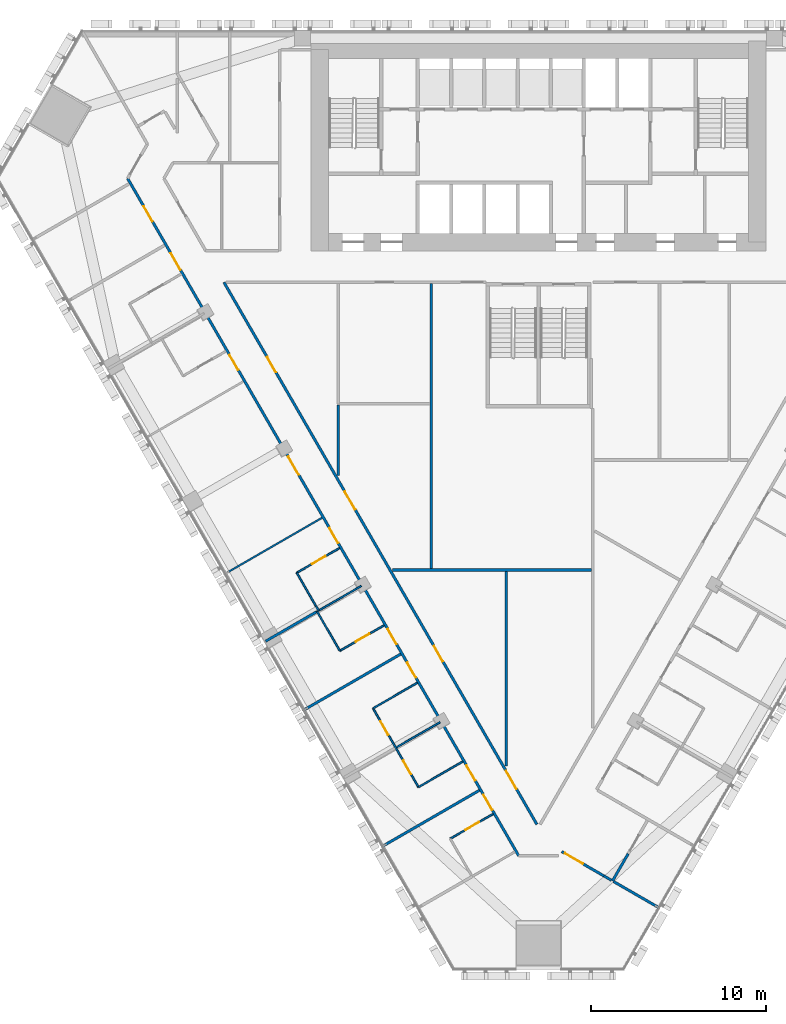
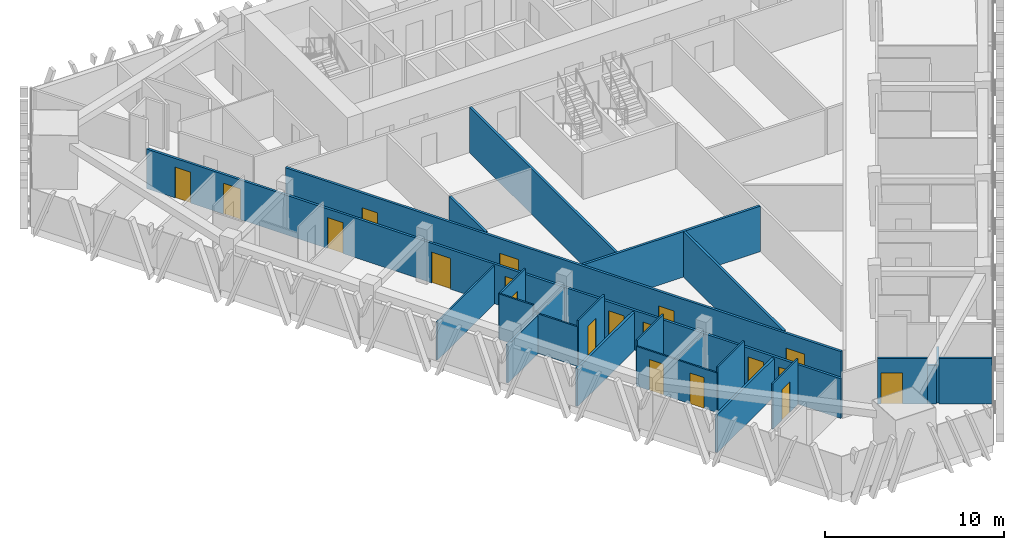
# One storey, part 10 of 18: 25 walls, 19 doors, 19 openings.
"""IFC4 building model written with IfcOpenShell, lengths in metres."""

from ifc_helpers import new_model, si_unit, direction, frame, frame_2d, origin, place, context, subcontext, project, spatial, rectangle, extrude, material, layer, layer_set, type_object, element, fill, save


model = new_model("IFC4")

# Units and contexts
model_context = context("Model", 3, precision=1e-05, world=origin(), true_north=direction((0.0, 1.0)))
body_context = subcontext(model_context, "Body", "Model", "MODEL_VIEW")
ifc_project = project(units=[si_unit("LENGTHUNIT", "METRE"), si_unit("AREAUNIT", "SQUARE_METRE"), si_unit("VOLUMEUNIT", "CUBIC_METRE"), si_unit("PLANEANGLEUNIT", "RADIAN"), si_unit("MASSUNIT", "GRAM", prefix="KILO")], contexts=[model_context])

# Site, building, storey
site_placement = place(None, origin())
site = spatial("IfcSite", under=ifc_project, at=site_placement, CompositionType="ELEMENT")
building_placement = place(site_placement, origin())
building = spatial("IfcBuilding", under=site, at=building_placement, Name="Altiplano Prism Tower", CompositionType="ELEMENT")
storey_placement = place(building_placement, frame((0.0, 0.0, 37.800048828125)))
storey = spatial("IfcBuildingStorey", under=building, at=storey_placement, Name="L08", CompositionType="ELEMENT", Elevation=37.800048828125)

# Walls
ifc_material_1 = material(Name="Plasterboard on steel stud", Category="steel")
ifc_layer_1 = layer(ifc_material_1, 0.10009765625)
ifc_layer_set_1 = layer_set([ifc_layer_1], Name="Plasterboard on steel stud")
wall_type_1 = type_object("IfcWallType", Name="Partition 100 unit", PredefinedType="PARTITIONING", material=ifc_layer_set_1)
wall_1_placement = place(storey_placement, frame((72.421142578125, 71.818603515625, 0.0), z_axis=(0.0, 0.0, 1.0), x_axis=(-0.499816412211, 0.866131372301, 0.0)))
element("IfcWall", 1, at=wall_1_placement, inside=storey, type_object=wall_type_1, Name="Partition P02 L08 060", PredefinedType="PARTITIONING", context=body_context, shape_type="SweptSolid", body=[
    extrude(rectangle(XDim=0.2998046875, YDim=0.10009765625, at=frame_2d((0.14990234375, 0.0))), origin(), (0.0, 0.0, 1.0), 2.699951171875),
])
wall_2_placement = place(storey_placement, frame((72.271240234375, 72.078369140625, 0.0), z_axis=(0.0, 0.0, 1.0), x_axis=(-0.50002983664, 0.866008176907, 0.0)))
element("IfcWall", 2, at=wall_2_placement, inside=storey, type_object=wall_type_1, Name="Partition P02 L08 061", PredefinedType="PARTITIONING", context=body_context, shape_type="SweptSolid", body=[
    extrude(rectangle(XDim=2.199951171875, YDim=0.10009765625, at=frame_2d((1.10009765625, 0.0))), origin(), (0.0, 0.0, 1.0), 3.099853515625),
])

# Wall, opening, door
wall_3_placement = place(storey_placement, frame((71.171142578125, 73.983642578125, 0.0), z_axis=(0.0, 0.0, 1.0), x_axis=(0.866048868473, 0.499959355765, 0.0)))
wall_3 = element("IfcWall", 3, at=wall_3_placement, inside=storey, type_object=wall_type_1, Name="Partition P02 L08 062", PredefinedType="PARTITIONING", context=body_context, shape_type="SweptSolid", body=[
    extrude(rectangle(XDim=2.824951171875, YDim=0.10009765625, at=frame_2d((1.41259765625, 0.0))), origin(), (0.0, 0.0, 1.0), 3.099853515625),
])
opening_1_placement = place(wall_3_placement, frame((1.0, 0.0, 0.0)))
opening_1 = element("IfcOpeningElement", 4, at=opening_1_placement, cuts=wall_3, Name="Opening D0285", PredefinedType="OPENING", context=body_context, shape_type="SweptSolid", body=[
    extrude(rectangle(XDim=0.89990234375, YDim=2.10009765625, at=frame_2d((0.449951171875, 1.050048828125))), frame((0.0, 0.060546875, 0.0), z_axis=(0.0, -1.0, 0.0), x_axis=(1.0, 0.0, 0.0)), (0.0, 0.0, 1.0), 0.12109375),
])
ifc_material_2 = material(Name="Timber", Category="wood")
door_type_1 = type_object("IfcDoorType", Name="Ensuite door 900 x 2100", OperationType="NOTDEFINED", PredefinedType="NOTDEFINED", material=ifc_material_2)
door_1_placement = place(opening_1_placement, origin())
door_1 = element("IfcDoor", 5, at=door_1_placement, inside=storey, type_object=door_type_1, Name="Door D0285", OperationType="SINGLE_SWING_RIGHT", OverallHeight=2.10009765625, OverallWidth=0.89990234375, PredefinedType="NOTDEFINED", context=body_context, shape_type="SweptSolid", body=[
    extrude(rectangle(XDim=0.89990234375, YDim=2.10009765625, at=frame_2d((0.449951171875, 1.050048828125))), frame((0.0, 0.02490234375, 0.0), z_axis=(0.0, -1.0, 0.0), x_axis=(1.0, 0.0, 0.0)), (0.0, 0.0, 1.0), 0.050048828125),
])
fill(opening_1, door_1)

wall_4_placement = place(storey_placement, frame((76.167724609375, 70.979248046875, 0.0), z_axis=(0.0, 0.0, 1.0), x_axis=(-0.866046596414, -0.499963291492, 0.0)))
wall_4 = element("IfcWall", 6, at=wall_4_placement, inside=storey, type_object=wall_type_1, Name="Partition P02 L08 065", PredefinedType="PARTITIONING", context=body_context, shape_type="SweptSolid", body=[
    extrude(rectangle(XDim=2.925048828125, YDim=0.10009765625, at=frame_2d((1.46240234375, 0.0))), origin(), (0.0, 0.0, 1.0), 3.099853515625),
])
opening_2_placement = place(wall_4_placement, frame((0.97509765625, 0.0, 0.0)))
opening_2 = element("IfcOpeningElement", 7, at=opening_2_placement, cuts=wall_4, Name="Opening D0287", PredefinedType="OPENING", context=body_context, shape_type="SweptSolid", body=[
    extrude(rectangle(XDim=0.89990234375, YDim=2.10009765625, at=frame_2d((0.449951171875, 1.050048828125))), frame((0.0, 0.060546875, 0.0), z_axis=(0.0, -1.0, 0.0), x_axis=(1.0, 0.0, 0.0)), (0.0, 0.0, 1.0), 0.12109375),
])
door_2_placement = place(opening_2_placement, origin())
door_2 = element("IfcDoor", 8, at=door_2_placement, inside=storey, type_object=door_type_1, Name="Door D0287", OperationType="SINGLE_SWING_LEFT", OverallHeight=2.10009765625, OverallWidth=0.89990234375, PredefinedType="NOTDEFINED", context=body_context, shape_type="SweptSolid", body=[
    extrude(rectangle(XDim=0.89990234375, YDim=2.10009765625, at=frame_2d((0.449951171875, 1.050048828125))), frame((0.0, 0.02490234375, 0.0), z_axis=(0.0, -1.0, 0.0), x_axis=(1.0, 0.0, 0.0)), (0.0, 0.0, 1.0), 0.050048828125),
])
fill(opening_2, door_2)

# Wall
wall_5_placement = place(storey_placement, frame((73.634521484375, 69.516845703125, 0.0), z_axis=(0.0, 0.0, 1.0), x_axis=(-0.500006934395, 0.866021400173, 0.0)))
element("IfcWall", 9, at=wall_5_placement, inside=storey, type_object=wall_type_1, Name="Partition P02 L08 066", PredefinedType="PARTITIONING", context=body_context, shape_type="SweptSolid", body=[
    extrude(rectangle(XDim=2.60009765625, YDim=0.10009765625, at=frame_2d((1.300048828125, 0.0))), origin(), (0.0, 0.0, 1.0), 2.699951171875),
])

# Wall, openings, doors
wall_6_placement = place(storey_placement, frame((78.134521484375, 61.72265625, 0.0), z_axis=(0.0, 0.0, 1.0), x_axis=(-0.500006934395, 0.866021400173, 0.0)))
wall_6 = element("IfcWall", 10, at=wall_6_placement, inside=storey, type_object=wall_type_1, Name="Partition P02 L08 068", PredefinedType="PARTITIONING", context=body_context, shape_type="SweptSolid", body=[
    extrude(rectangle(XDim=5.2001953125, YDim=0.10009765625, at=frame_2d((2.60009765625, 0.0))), origin(), (0.0, 0.0, 1.0), 2.699951171875),
])
opening_3_placement = place(wall_6_placement, frame((3.449951171875, 0.0, 0.0)))
opening_3 = element("IfcOpeningElement", 11, at=opening_3_placement, cuts=wall_6, Name="Opening D0289", PredefinedType="OPENING", context=body_context, shape_type="SweptSolid", body=[
    extrude(rectangle(XDim=0.89990234375, YDim=2.10009765625, at=frame_2d((0.449951171875, 1.050048828125))), frame((0.0, 0.060546875, 0.0), z_axis=(0.0, -1.0, 0.0), x_axis=(1.0, 0.0, 0.0)), (0.0, 0.0, 1.0), 0.12109375),
])
opening_4_placement = place(wall_6_placement, frame((0.85009765625, 0.0, 0.0)))
opening_4 = element("IfcOpeningElement", 12, at=opening_4_placement, cuts=wall_6, Name="Opening D0291", PredefinedType="OPENING", context=body_context, shape_type="SweptSolid", body=[
    extrude(rectangle(XDim=0.89990234375, YDim=2.10009765625, at=frame_2d((0.449951171875, 1.050048828125))), frame((0.0, 0.060546875, 0.0), z_axis=(0.0, -1.0, 0.0), x_axis=(1.0, 0.0, 0.0)), (0.0, 0.0, 1.0), 0.12109375),
])
door_3_placement = place(opening_3_placement, origin())
door_3 = element("IfcDoor", 13, at=door_3_placement, inside=storey, type_object=door_type_1, Name="Door D0289", OperationType="SINGLE_SWING_LEFT", OverallHeight=2.10009765625, OverallWidth=0.89990234375, PredefinedType="NOTDEFINED", context=body_context, shape_type="SweptSolid", body=[
    extrude(rectangle(XDim=0.89990234375, YDim=2.10009765625, at=frame_2d((0.449951171875, 1.050048828125))), frame((0.0, 0.02490234375, 0.0), z_axis=(0.0, -1.0, 0.0), x_axis=(1.0, 0.0, 0.0)), (0.0, 0.0, 1.0), 0.050048828125),
])
fill(opening_3, door_3)
door_4_placement = place(opening_4_placement, origin())
door_4 = element("IfcDoor", 14, at=door_4_placement, inside=storey, type_object=door_type_1, Name="Door D0291", OperationType="SINGLE_SWING_LEFT", OverallHeight=2.10009765625, OverallWidth=0.89990234375, PredefinedType="NOTDEFINED", context=body_context, shape_type="SweptSolid", body=[
    extrude(rectangle(XDim=0.89990234375, YDim=2.10009765625, at=frame_2d((0.449951171875, 1.050048828125))), frame((0.0, 0.02490234375, 0.0), z_axis=(0.0, -1.0, 0.0), x_axis=(1.0, 0.0, 0.0)), (0.0, 0.0, 1.0), 0.050048828125),
])
fill(opening_4, door_4)

# Walls
for number, where, z_axis, x_axis, name in (
    (15, (75.534423828125, 66.22607421875, 0.0), (0.0, 0.0, 1.0), (0.866046596414, 0.499963291492, 0.0), "Partition P02 L08 069"),
    (16, (80.667724609375, 63.18505859375, 0.0), (0.0, 0.0, 1.0), (-0.866046596414, -0.499963291492, 0.0), "Partition P02 L08 072"),
):
    element("IfcWall", number, at=place(storey_placement, frame(where, z_axis=z_axis, x_axis=x_axis)), inside=storey, type_object=wall_type_1, Name=name, PredefinedType="PARTITIONING", context=body_context, shape_type="SweptSolid", body=[
        extrude(rectangle(XDim=2.925048828125, YDim=0.10009765625, at=frame_2d((1.46240234375, 0.0))), origin(), (0.0, 0.0, 1.0), 3.099853515625),
    ])

# Wall, opening, door
wall_7_placement = place(storey_placement, frame((79.9521484375, 58.7744140625, 0.0), z_axis=(0.0, 0.0, 1.0), x_axis=(0.866011447264, 0.500024172624, 0.0)))
wall_7 = element("IfcWall", 17, at=wall_7_placement, inside=storey, type_object=wall_type_1, Name="Partition P02 L08 075", PredefinedType="PARTITIONING", context=body_context, shape_type="SweptSolid", body=[
    extrude(rectangle(XDim=2.824951171875, YDim=0.10009765625, at=frame_2d((1.41259765625, 0.0))), origin(), (0.0, 0.0, 1.0), 3.099853515625),
])
opening_5_placement = place(wall_7_placement, frame((1.0, 0.0, 0.0)))
opening_5 = element("IfcOpeningElement", 18, at=opening_5_placement, cuts=wall_7, Name="Opening D0293", PredefinedType="OPENING", context=body_context, shape_type="SweptSolid", body=[
    extrude(rectangle(XDim=0.89990234375, YDim=2.10009765625, at=frame_2d((0.449951171875, 1.050048828125))), frame((0.0, 0.060546875, 0.0), z_axis=(0.0, -1.0, 0.0), x_axis=(1.0, 0.0, 0.0)), (0.0, 0.0, 1.0), 0.12109375),
])
door_5_placement = place(opening_5_placement, origin())
door_5 = element("IfcDoor", 19, at=door_5_placement, inside=storey, type_object=door_type_1, Name="Door D0293", OperationType="SINGLE_SWING_LEFT", OverallHeight=2.10009765625, OverallWidth=0.89990234375, PredefinedType="NOTDEFINED", context=body_context, shape_type="SweptSolid", body=[
    extrude(rectangle(XDim=0.89990234375, YDim=2.10009765625, at=frame_2d((0.449951171875, 1.050048828125))), frame((0.0, 0.02490234375, 0.0), z_axis=(0.0, -1.0, 0.0), x_axis=(1.0, 0.0, 0.0)), (0.0, 0.0, 1.0), 0.050048828125),
])
fill(opening_5, door_5)

# Walls
ifc_layer_2 = layer(ifc_material_1, 0.10009765625)
ifc_layer_set_2 = layer_set([ifc_layer_2], Name="Plasterboard on steel stud")
wall_type_2 = type_object("IfcWallType", Name="Partition 100 wet", PredefinedType="PARTITIONING", material=ifc_layer_set_2)
wall_8_placement = place(storey_placement, frame((67.12255859375, 73.95556640625, 0.0), z_axis=(0.0, 0.0, 1.0), x_axis=(0.866025401434, 0.500000004071, 0.0)))
element("IfcWall", 20, at=wall_8_placement, inside=storey, type_object=wall_type_2, Name="Partition P03 L08 059", PredefinedType="PARTITIONING", context=body_context, shape_type="SweptSolid", body=[
    extrude(rectangle(XDim=6.34521484375, YDim=0.10009765625, at=frame_2d((3.172607421875, 0.0))), origin(), (0.0, 0.0, 1.0), 2.599853515625),
])
wall_9_placement = place(storey_placement, frame((72.40380859375, 71.80859375, 0.0), z_axis=(0.0, 0.0, 1.0), x_axis=(0.866048401274, 0.499960165064, 0.0)))
element("IfcWall", 21, at=wall_9_placement, inside=storey, type_object=wall_type_2, Name="Partition P03 L08 064", PredefinedType="PARTITIONING", context=body_context, shape_type="SweptSolid", body=[
    extrude(rectangle(XDim=2.844970703125, YDim=0.10009765625, at=frame_2d((1.42236328125, 0.0))), origin(), (0.0, 0.0, 1.0), 2.699951171875),
])
wall_10_placement = place(storey_placement, frame((76.8779296875, 63.999267578125, 0.0), z_axis=(0.0, 0.0, 1.0), x_axis=(0.866018712932, 0.500011588718, 0.0)))
element("IfcWall", 22, at=wall_10_placement, inside=storey, type_object=wall_type_2, Name="Partition P03 L08 071", PredefinedType="PARTITIONING", context=body_context, shape_type="SweptSolid", body=[
    extrude(rectangle(XDim=2.875, YDim=0.10009765625, at=frame_2d((1.4375, 0.0))), origin(), (0.0, 0.0, 1.0), 2.699951171875),
])

# Wall, openings, doors
ifc_layer_3 = layer(ifc_material_1, 0.14990234375)
ifc_layer_set_3 = layer_set([ifc_layer_3], Name="Plasterboard on steel stud")
wall_type_3 = type_object("IfcWallType", Name="Partition 150 corridor", PredefinedType="PARTITIONING", material=ifc_layer_set_3)
wall_11_placement = place(storey_placement, frame((61.4970703125, 96.539794921875, 0.0), z_axis=(0.0, 0.0, 1.0), x_axis=(0.499995935097, -0.866027750645, 0.0)))
wall_11 = element("IfcWall", 23, at=wall_11_placement, inside=storey, type_object=wall_type_3, Name="Partition P06 L08 014", PredefinedType="PARTITIONING", context=body_context, shape_type="SweptSolid", body=[
    extrude(rectangle(XDim=44.742431640625, YDim=0.14990234375, at=frame_2d((22.37109375, 0.0))), origin(), (0.0, 0.0, 1.0), 2.699951171875),
])
opening_6_placement = place(wall_11_placement, frame((1.840087890625, 0.0, 0.0)))
opening_6 = element("IfcOpeningElement", 24, at=opening_6_placement, cuts=wall_11, Name="Opening D0278", PredefinedType="OPENING", context=body_context, shape_type="SweptSolid", body=[
    extrude(rectangle(XDim=1.0, YDim=2.10009765625, at=frame_2d((0.5, 1.050048828125))), frame((0.0, 0.08544921875, 0.0), z_axis=(0.0, -1.0, 0.0), x_axis=(1.0, 0.0, 0.0)), (0.0, 0.0, 1.0), 0.1708984375),
])
opening_7_placement = place(wall_11_placement, frame((4.94189453125, 0.0, 0.0)))
opening_7 = element("IfcOpeningElement", 25, at=opening_7_placement, cuts=wall_11, Name="Opening D0279", PredefinedType="OPENING", context=body_context, shape_type="SweptSolid", body=[
    extrude(rectangle(XDim=1.10009765625, YDim=2.10009765625, at=frame_2d((0.550048828125, 1.050048828125))), frame((0.0, 0.08544921875, 0.0), z_axis=(0.0, -1.0, 0.0), x_axis=(1.0, 0.0, 0.0)), (0.0, 0.0, 1.0), 0.1708984375),
])
opening_8_placement = place(wall_11_placement, frame((11.65087890625, 0.0, 0.0)))
opening_8 = element("IfcOpeningElement", 26, at=opening_8_placement, cuts=wall_11, Name="Opening D0281", PredefinedType="OPENING", context=body_context, shape_type="SweptSolid", body=[
    extrude(rectangle(XDim=1.0, YDim=2.10009765625, at=frame_2d((0.5, 1.050048828125))), frame((0.0, 0.08544921875, 0.0), z_axis=(0.0, -1.0, 0.0), x_axis=(1.0, 0.0, 0.0)), (0.0, 0.0, 1.0), 0.1708984375),
])
opening_9_placement = place(wall_11_placement, frame((18.37109375, 0.0, 0.0)))
opening_9 = element("IfcOpeningElement", 27, at=opening_9_placement, cuts=wall_11, Name="Opening D0283", PredefinedType="OPENING", context=body_context, shape_type="SweptSolid", body=[
    extrude(rectangle(XDim=1.199951171875, YDim=2.10009765625, at=frame_2d((0.60009765625, 1.050048828125))), frame((0.0, 0.08544921875, 0.0), z_axis=(0.0, -1.0, 0.0), x_axis=(1.0, 0.0, 0.0)), (0.0, 0.0, 1.0), 0.1708984375),
])
opening_10_placement = place(wall_11_placement, frame((23.092041015625, 0.0, 0.0)))
opening_10 = element("IfcOpeningElement", 28, at=opening_10_placement, cuts=wall_11, Name="Opening D0284", PredefinedType="OPENING", context=body_context, shape_type="SweptSolid", body=[
    extrude(rectangle(XDim=1.0, YDim=2.10009765625, at=frame_2d((0.5, 1.050048828125))), frame((0.0, 0.08544921875, 0.0), z_axis=(0.0, -1.0, 0.0), x_axis=(1.0, 0.0, 0.0)), (0.0, 0.0, 1.0), 0.1708984375),
])
opening_11_placement = place(wall_11_placement, frame((29.76708984375, 0.0, 0.0)))
opening_11 = element("IfcOpeningElement", 29, at=opening_11_placement, cuts=wall_11, Name="Opening D0286", PredefinedType="OPENING", context=body_context, shape_type="SweptSolid", body=[
    extrude(rectangle(XDim=1.0, YDim=2.10009765625, at=frame_2d((0.5, 1.050048828125))), frame((0.0, 0.08544921875, 0.0), z_axis=(0.0, -1.0, 0.0), x_axis=(1.0, 0.0, 0.0)), (0.0, 0.0, 1.0), 0.1708984375),
])
opening_12_placement = place(wall_11_placement, frame((31.97607421875, 0.0, 0.0)))
opening_12 = element("IfcOpeningElement", 30, at=opening_12_placement, cuts=wall_11, Name="Opening D0288", PredefinedType="OPENING", context=body_context, shape_type="SweptSolid", body=[
    extrude(rectangle(XDim=1.0, YDim=2.10009765625, at=frame_2d((0.5, 1.050048828125))), frame((0.0, 0.08544921875, 0.0), z_axis=(0.0, -1.0, 0.0), x_axis=(1.0, 0.0, 0.0)), (0.0, 0.0, 1.0), 0.1708984375),
])
opening_13_placement = place(wall_11_placement, frame((38.76708984375, 0.0, 0.0)))
opening_13 = element("IfcOpeningElement", 31, at=opening_13_placement, cuts=wall_11, Name="Opening D0290", PredefinedType="OPENING", context=body_context, shape_type="SweptSolid", body=[
    extrude(rectangle(XDim=1.0, YDim=2.10009765625, at=frame_2d((0.5, 1.050048828125))), frame((0.0, 0.08544921875, 0.0), z_axis=(0.0, -1.0, 0.0), x_axis=(1.0, 0.0, 0.0)), (0.0, 0.0, 1.0), 0.1708984375),
])
opening_14_placement = place(wall_11_placement, frame((40.70703125, 0.0, 0.0)))
opening_14 = element("IfcOpeningElement", 32, at=opening_14_placement, cuts=wall_11, Name="Opening D0292", PredefinedType="OPENING", context=body_context, shape_type="SweptSolid", body=[
    extrude(rectangle(XDim=1.0, YDim=2.10009765625, at=frame_2d((0.5, 1.050048828125))), frame((0.0, 0.08544921875, 0.0), z_axis=(0.0, -1.0, 0.0), x_axis=(1.0, 0.0, 0.0)), (0.0, 0.0, 1.0), 0.1708984375),
])
door_type_2 = type_object("IfcDoorType", Name="Accessible bedroom door 1100 x 2100", OperationType="NOTDEFINED", PredefinedType="NOTDEFINED", material=ifc_material_2)
door_6_placement = place(opening_7_placement, origin())
door_6 = element("IfcDoor", 33, at=door_6_placement, inside=storey, type_object=door_type_2, Name="Door D0279", OperationType="SINGLE_SWING_LEFT", OverallHeight=2.10009765625, OverallWidth=1.10009765625, PredefinedType="NOTDEFINED", context=body_context, shape_type="SweptSolid", body=[
    extrude(rectangle(XDim=1.10009765625, YDim=2.10009765625, at=frame_2d((0.550048828125, 1.050048828125))), frame((0.0, 0.02490234375, 0.0), z_axis=(0.0, -1.0, 0.0), x_axis=(1.0, 0.0, 0.0)), (0.0, 0.0, 1.0), 0.050048828125),
])
fill(opening_7, door_6)
door_type_3 = type_object("IfcDoorType", Name="Bedroom entrance door 1000 x 2100", OperationType="NOTDEFINED", PredefinedType="NOTDEFINED", material=ifc_material_2)
door_7_placement = place(opening_8_placement, origin())
door_7 = element("IfcDoor", 34, at=door_7_placement, inside=storey, type_object=door_type_3, Name="Door D0281", OperationType="SINGLE_SWING_RIGHT", OverallHeight=2.10009765625, OverallWidth=1.0, PredefinedType="NOTDEFINED", context=body_context, shape_type="SweptSolid", body=[
    extrude(rectangle(XDim=1.0, YDim=2.10009765625, at=frame_2d((0.5, 1.050048828125))), frame((0.0, 0.02490234375, 0.0), z_axis=(0.0, -1.0, 0.0), x_axis=(1.0, 0.0, 0.0)), (0.0, 0.0, 1.0), 0.050048828125),
])
fill(opening_8, door_7)
door_8_placement = place(opening_10_placement, origin())
door_8 = element("IfcDoor", 35, at=door_8_placement, inside=storey, type_object=door_type_3, Name="Door D0284", OperationType="SINGLE_SWING_LEFT", OverallHeight=2.10009765625, OverallWidth=1.0, PredefinedType="NOTDEFINED", context=body_context, shape_type="SweptSolid", body=[
    extrude(rectangle(XDim=1.0, YDim=2.10009765625, at=frame_2d((0.5, 1.050048828125))), frame((0.0, 0.02490234375, 0.0), z_axis=(0.0, -1.0, 0.0), x_axis=(1.0, 0.0, 0.0)), (0.0, 0.0, 1.0), 0.050048828125),
])
fill(opening_10, door_8)
door_9_placement = place(opening_11_placement, origin())
door_9 = element("IfcDoor", 36, at=door_9_placement, inside=storey, type_object=door_type_3, Name="Door D0286", OperationType="SINGLE_SWING_RIGHT", OverallHeight=2.10009765625, OverallWidth=1.0, PredefinedType="NOTDEFINED", context=body_context, shape_type="SweptSolid", body=[
    extrude(rectangle(XDim=1.0, YDim=2.10009765625, at=frame_2d((0.5, 1.050048828125))), frame((0.0, 0.02490234375, 0.0), z_axis=(0.0, -1.0, 0.0), x_axis=(1.0, 0.0, 0.0)), (0.0, 0.0, 1.0), 0.050048828125),
])
fill(opening_11, door_9)
door_10_placement = place(opening_12_placement, origin())
door_10 = element("IfcDoor", 37, at=door_10_placement, inside=storey, type_object=door_type_3, Name="Door D0288", OperationType="SINGLE_SWING_LEFT", OverallHeight=2.10009765625, OverallWidth=1.0, PredefinedType="NOTDEFINED", context=body_context, shape_type="SweptSolid", body=[
    extrude(rectangle(XDim=1.0, YDim=2.10009765625, at=frame_2d((0.5, 1.050048828125))), frame((0.0, 0.02490234375, 0.0), z_axis=(0.0, -1.0, 0.0), x_axis=(1.0, 0.0, 0.0)), (0.0, 0.0, 1.0), 0.050048828125),
])
fill(opening_12, door_10)
door_11_placement = place(opening_13_placement, origin())
door_11 = element("IfcDoor", 38, at=door_11_placement, inside=storey, type_object=door_type_3, Name="Door D0290", OperationType="SINGLE_SWING_RIGHT", OverallHeight=2.10009765625, OverallWidth=1.0, PredefinedType="NOTDEFINED", context=body_context, shape_type="SweptSolid", body=[
    extrude(rectangle(XDim=1.0, YDim=2.10009765625, at=frame_2d((0.5, 1.050048828125))), frame((0.0, 0.02490234375, 0.0), z_axis=(0.0, -1.0, 0.0), x_axis=(1.0, 0.0, 0.0)), (0.0, 0.0, 1.0), 0.050048828125),
])
fill(opening_13, door_11)
door_12_placement = place(opening_14_placement, origin())
door_12 = element("IfcDoor", 39, at=door_12_placement, inside=storey, type_object=door_type_3, Name="Door D0292", OperationType="SINGLE_SWING_LEFT", OverallHeight=2.10009765625, OverallWidth=1.0, PredefinedType="NOTDEFINED", context=body_context, shape_type="SweptSolid", body=[
    extrude(rectangle(XDim=1.0, YDim=2.10009765625, at=frame_2d((0.5, 1.050048828125))), frame((0.0, 0.02490234375, 0.0), z_axis=(0.0, -1.0, 0.0), x_axis=(1.0, 0.0, 0.0)), (0.0, 0.0, 1.0), 0.050048828125),
])
fill(opening_14, door_12)
door_type_4 = type_object("IfcDoorType", Name="Room door 1000 x 2100", OperationType="NOTDEFINED", PredefinedType="NOTDEFINED", material=ifc_material_2)
door_13_placement = place(opening_6_placement, origin())
door_13 = element("IfcDoor", 40, at=door_13_placement, inside=storey, type_object=door_type_4, Name="Door D0278", OperationType="SINGLE_SWING_RIGHT", OverallHeight=2.10009765625, OverallWidth=1.0, PredefinedType="NOTDEFINED", context=body_context, shape_type="SweptSolid", body=[
    extrude(rectangle(XDim=1.0, YDim=2.10009765625, at=frame_2d((0.5, 1.050048828125))), frame((0.0, 0.02490234375, 0.0), z_axis=(0.0, -1.0, 0.0), x_axis=(1.0, 0.0, 0.0)), (0.0, 0.0, 1.0), 0.050048828125),
])
fill(opening_6, door_13)
door_type_5 = type_object("IfcDoorType", Name="Shared room door 1200 x 2100", OperationType="NOTDEFINED", PredefinedType="NOTDEFINED", material=ifc_material_2)
door_14_placement = place(opening_9_placement, origin())
door_14 = element("IfcDoor", 41, at=door_14_placement, inside=storey, type_object=door_type_5, Name="Door D0283", OperationType="SINGLE_SWING_RIGHT", OverallHeight=2.10009765625, OverallWidth=1.199951171875, PredefinedType="NOTDEFINED", context=body_context, shape_type="SweptSolid", body=[
    extrude(rectangle(XDim=1.199951171875, YDim=2.10009765625, at=frame_2d((0.60009765625, 1.050048828125))), frame((0.0, 0.02490234375, 0.0), z_axis=(0.0, -1.0, 0.0), x_axis=(1.0, 0.0, 0.0)), (0.0, 0.0, 1.0), 0.050048828125),
])
fill(opening_9, door_14)

# Wall, opening, door
wall_12_placement = place(storey_placement, frame((86.32958984375, 58.034423828125, 0.0), z_axis=(0.0, 0.0, 1.0), x_axis=(0.86603494908, -0.499983466698, 0.0)))
wall_12 = element("IfcWall", 42, at=wall_12_placement, inside=storey, type_object=wall_type_3, Name="Partition P06 L08 016", PredefinedType="PARTITIONING", context=body_context, shape_type="SweptSolid", body=[
    extrude(rectangle(XDim=2.77978515625, YDim=0.14990234375, at=frame_2d((1.389892578125, 0.0))), origin(), (0.0, 0.0, 1.0), 3.099853515625),
])
opening_15_placement = place(wall_12_placement, frame((0.199951171875, 0.0, 0.0)))
opening_15 = element("IfcOpeningElement", 43, at=opening_15_placement, cuts=wall_12, Name="Opening D0294", PredefinedType="OPENING", context=body_context, shape_type="SweptSolid", body=[
    extrude(rectangle(XDim=1.199951171875, YDim=2.10009765625, at=frame_2d((0.60009765625, 1.050048828125))), frame((0.0, 0.08544921875, 0.0), z_axis=(0.0, -1.0, 0.0), x_axis=(1.0, 0.0, 0.0)), (0.0, 0.0, 1.0), 0.1708984375),
])
door_15_placement = place(opening_15_placement, origin())
door_15 = element("IfcDoor", 44, at=door_15_placement, inside=storey, type_object=door_type_5, Name="Door D0294", OperationType="SINGLE_SWING_LEFT", OverallHeight=2.10009765625, OverallWidth=1.199951171875, PredefinedType="NOTDEFINED", context=body_context, shape_type="SweptSolid", body=[
    extrude(rectangle(XDim=1.199951171875, YDim=2.10009765625, at=frame_2d((0.60009765625, 1.050048828125))), frame((0.0, 0.02490234375, 0.0), z_axis=(0.0, -1.0, 0.0), x_axis=(1.0, 0.0, 0.0)), (0.0, 0.0, 1.0), 0.050048828125),
])
fill(opening_15, door_15)

# Walls
wall_13_placement = place(storey_placement, frame((88.737060546875, 56.64453125, 0.0), z_axis=(0.0, 0.0, 1.0), x_axis=(0.866111716277, -0.49985047257, 0.0)))
element("IfcWall", 45, at=wall_13_placement, inside=storey, type_object=wall_type_3, Name="Partition P06 L08 017", PredefinedType="PARTITIONING", context=body_context, shape_type="SweptSolid", body=[
    extrude(rectangle(XDim=0.495361328125, YDim=0.14990234375, at=frame_2d((0.24755859375, 0.0))), origin(), (0.0, 0.0, 1.0), 2.599853515625),
])
wall_14_placement = place(storey_placement, frame((89.23095703125, 56.359375, 0.0), z_axis=(0.0, 0.0, 1.0), x_axis=(0.500016891966, 0.866015650984, 0.0)))
element("IfcWall", 46, at=wall_14_placement, inside=storey, type_object=wall_type_3, Name="Partition P06 L08 018", PredefinedType="PARTITIONING", context=body_context, shape_type="SweptSolid", body=[
    extrude(rectangle(XDim=1.79443359375, YDim=0.14990234375, at=frame_2d((0.897216796875, 0.0))), origin(), (0.0, 0.0, 1.0), 2.599853515625),
])

# Wall, openings, doors
wall_15_placement = place(storey_placement, frame((84.906982421875, 59.592529296875, 0.0), z_axis=(0.0, 0.0, 1.0), x_axis=(-0.500002425896, 0.866024003188, 0.0)))
wall_15 = element("IfcWall", 47, at=wall_15_placement, inside=storey, type_object=wall_type_3, Name="Partition P06 L08 039", PredefinedType="PARTITIONING", context=body_context, shape_type="SweptSolid", body=[
    extrude(rectangle(XDim=35.804443359375, YDim=0.14990234375, at=frame_2d((17.90234375, 0.0))), origin(), (0.0, 0.0, 1.0), 3.099853515625),
])
opening_16_placement = place(wall_15_placement, frame((2.341064453125, 0.0, 0.0)))
opening_16 = element("IfcOpeningElement", 48, at=opening_16_placement, cuts=wall_15, Name="Opening D0311", PredefinedType="OPENING", context=body_context, shape_type="SweptSolid", body=[
    extrude(rectangle(XDim=1.199951171875, YDim=2.10009765625, at=frame_2d((0.60009765625, 1.050048828125))), frame((0.0, 0.08544921875, 0.0), z_axis=(0.0, -1.0, 0.0), x_axis=(1.0, 0.0, 0.0)), (0.0, 0.0, 1.0), 0.1708984375),
])
opening_17_placement = place(wall_15_placement, frame((20.7919921875, 0.0, 0.0)))
opening_17 = element("IfcOpeningElement", 49, at=opening_17_placement, cuts=wall_15, Name="Opening D0312", PredefinedType="OPENING", context=body_context, shape_type="SweptSolid", body=[
    extrude(rectangle(XDim=1.199951171875, YDim=2.10009765625, at=frame_2d((0.60009765625, 1.050048828125))), frame((0.0, 0.08544921875, 0.0), z_axis=(0.0, -1.0, 0.0), x_axis=(1.0, 0.0, 0.0)), (0.0, 0.0, 1.0), 0.1708984375),
])
opening_18_placement = place(wall_15_placement, frame((10.76806640625, 0.0, 0.0)))
opening_18 = element("IfcOpeningElement", 50, at=opening_18_placement, cuts=wall_15, Name="Opening D0317", PredefinedType="OPENING", context=body_context, shape_type="SweptSolid", body=[
    extrude(rectangle(XDim=1.0, YDim=2.10009765625, at=frame_2d((0.5, 1.050048828125))), frame((0.0, 0.08544921875, 0.0), z_axis=(0.0, -1.0, 0.0), x_axis=(1.0, 0.0, 0.0)), (0.0, 0.0, 1.0), 0.1708984375),
])
opening_19_placement = place(wall_15_placement, frame((29.85888671875, 0.0, 0.0)))
opening_19 = element("IfcOpeningElement", 51, at=opening_19_placement, cuts=wall_15, Name="Opening D0318", PredefinedType="OPENING", context=body_context, shape_type="SweptSolid", body=[
    extrude(rectangle(XDim=1.0, YDim=2.10009765625, at=frame_2d((0.5, 1.050048828125))), frame((0.0, 0.08544921875, 0.0), z_axis=(0.0, -1.0, 0.0), x_axis=(1.0, 0.0, 0.0)), (0.0, 0.0, 1.0), 0.1708984375),
])
door_16_placement = place(opening_18_placement, origin())
door_16 = element("IfcDoor", 52, at=door_16_placement, inside=storey, type_object=door_type_4, Name="Door D0317", OperationType="SINGLE_SWING_RIGHT", OverallHeight=2.10009765625, OverallWidth=1.0, PredefinedType="NOTDEFINED", context=body_context, shape_type="SweptSolid", body=[
    extrude(rectangle(XDim=1.0, YDim=2.10009765625, at=frame_2d((0.5, 1.050048828125))), frame((0.0, 0.02490234375, 0.0), z_axis=(0.0, -1.0, 0.0), x_axis=(1.0, 0.0, 0.0)), (0.0, 0.0, 1.0), 0.050048828125),
])
fill(opening_18, door_16)
door_17_placement = place(opening_16_placement, origin())
door_17 = element("IfcDoor", 53, at=door_17_placement, inside=storey, type_object=door_type_5, Name="Door D0311", OperationType="SINGLE_SWING_RIGHT", OverallHeight=2.10009765625, OverallWidth=1.199951171875, PredefinedType="NOTDEFINED", context=body_context, shape_type="SweptSolid", body=[
    extrude(rectangle(XDim=1.199951171875, YDim=2.10009765625, at=frame_2d((0.60009765625, 1.050048828125))), frame((0.0, 0.02490234375, 0.0), z_axis=(0.0, -1.0, 0.0), x_axis=(1.0, 0.0, 0.0)), (0.0, 0.0, 1.0), 0.050048828125),
])
fill(opening_16, door_17)
door_18_placement = place(opening_17_placement, origin())
door_18 = element("IfcDoor", 54, at=door_18_placement, inside=storey, type_object=door_type_5, Name="Door D0312", OperationType="SINGLE_SWING_LEFT", OverallHeight=2.10009765625, OverallWidth=1.199951171875, PredefinedType="NOTDEFINED", context=body_context, shape_type="SweptSolid", body=[
    extrude(rectangle(XDim=1.199951171875, YDim=2.10009765625, at=frame_2d((0.60009765625, 1.050048828125))), frame((0.0, 0.02490234375, 0.0), z_axis=(0.0, -1.0, 0.0), x_axis=(1.0, 0.0, 0.0)), (0.0, 0.0, 1.0), 0.050048828125),
])
fill(opening_17, door_18)
door_type_6 = type_object("IfcDoorType", Name="Store door 1000 x 2100", OperationType="NOTDEFINED", PredefinedType="NOTDEFINED", material=ifc_material_2)
door_19_placement = place(opening_19_placement, origin())
door_19 = element("IfcDoor", 55, at=door_19_placement, inside=storey, type_object=door_type_6, Name="Door D0318", OperationType="SINGLE_SWING_LEFT", OverallHeight=2.10009765625, OverallWidth=1.0, PredefinedType="NOTDEFINED", context=body_context, shape_type="SweptSolid", body=[
    extrude(rectangle(XDim=1.0, YDim=2.10009765625, at=frame_2d((0.5, 1.050048828125))), frame((0.0, 0.02490234375, 0.0), z_axis=(0.0, -1.0, 0.0), x_axis=(1.0, 0.0, 0.0)), (0.0, 0.0, 1.0), 0.050048828125),
])
fill(opening_19, door_19)

# Walls
ifc_layer_4 = layer(ifc_material_1, 0.14990234375)
ifc_layer_set_4 = layer_set([ifc_layer_4], Name="Plasterboard on steel stud")
wall_type_4 = type_object("IfcWallType", Name="Partition 150 party", PredefinedType="PARTITIONING", material=ifc_layer_set_4)
wall_16_placement = place(storey_placement, frame((69.39013671875, 70.068603515625, 0.0), z_axis=(0.0, 0.0, 1.0), x_axis=(0.866020560687, 0.500008388397, 0.0)))
element("IfcWall", 56, at=wall_16_placement, inside=storey, type_object=wall_type_4, Name="Partition P01 L08 063", PredefinedType="PARTITIONING", context=body_context, shape_type="SweptSolid", body=[
    extrude(rectangle(XDim=3.39990234375, YDim=0.14990234375, at=frame_2d((1.699951171875, 0.0))), origin(), (0.0, 0.0, 1.0), 2.599853515625),
])
for number, where, z_axis, x_axis, name in (
    (57, (71.62255859375, 66.161376953125, 0.0), (0.0, 0.0, 1.0), (0.866025401434, 0.500000004071, 0.0), "Partition P01 L08 067"),
    (58, (76.12255859375, 58.3671875, 0.0), (0.0, 0.0, 1.0), (0.866025401434, 0.500000004071, 0.0), "Partition P01 L08 073"),
):
    element("IfcWall", number, at=place(storey_placement, frame(where, z_axis=z_axis, x_axis=x_axis)), inside=storey, type_object=wall_type_4, Name=name, PredefinedType="PARTITIONING", context=body_context, shape_type="SweptSolid", body=[
        extrude(rectangle(XDim=6.34521484375, YDim=0.14990234375, at=frame_2d((3.172607421875, 0.0))), origin(), (0.0, 0.0, 1.0), 2.599853515625),
    ])
wall_17_placement = place(storey_placement, frame((91.846435546875, 54.849365234375, 0.0), z_axis=(0.0, 0.0, 1.0), x_axis=(-0.866046160531, 0.499964046536, 0.0)))
element("IfcWall", 59, at=wall_17_placement, inside=storey, type_object=wall_type_4, Name="Partition P01 L08 079", PredefinedType="PARTITIONING", context=body_context, shape_type="SweptSolid", body=[
    extrude(rectangle(XDim=2.945068359375, YDim=0.14990234375, at=frame_2d((1.47265625, 0.0))), origin(), (0.0, 0.0, 1.0), 3.099853515625),
])
wall_18_placement = place(storey_placement, frame((76.6376953125, 74.14013671875, 0.0), z_axis=(0.0, 0.0, 1.0), x_axis=(1.0, 0.0, 0.0)))
element("IfcWall", 60, at=wall_18_placement, inside=storey, type_object=wall_type_4, Name="Partition P01 L08 102", PredefinedType="PARTITIONING", context=body_context, shape_type="SweptSolid", body=[
    extrude(rectangle(XDim=11.3984375, YDim=0.14990234375, at=frame_2d((5.69921875, 0.0))), origin(), (0.0, 0.0, 1.0), 3.099853515625),
])
wall_19_placement = place(storey_placement, frame((78.853515625, 90.524169921875, 0.0), z_axis=(0.0, 0.0, 1.0), x_axis=(0.0, -1.0, 0.0)))
element("IfcWall", 61, at=wall_19_placement, inside=storey, type_object=wall_type_4, Name="Partition P01 L08 103", PredefinedType="PARTITIONING", context=body_context, shape_type="SweptSolid", body=[
    extrude(rectangle(XDim=16.30908203125, YDim=0.14990234375, at=frame_2d((8.154541015625, 0.0))), origin(), (0.0, 0.0, 1.0), 3.099853515625),
])
wall_20_placement = place(storey_placement, frame((83.14453125, 74.065185546875, 0.0), z_axis=(0.0, 0.0, 1.0), x_axis=(0.0, -1.0, 0.0)))
element("IfcWall", 62, at=wall_20_placement, inside=storey, type_object=wall_type_4, Name="Partition P01 L08 106", PredefinedType="PARTITIONING", context=body_context, shape_type="SweptSolid", body=[
    extrude(rectangle(XDim=11.140380859375, YDim=0.14990234375, at=frame_2d((5.5703125, 0.0))), origin(), (0.0, 0.0, 1.0), 3.099853515625),
])
wall_21_placement = place(storey_placement, frame((73.539794921875, 83.57470703125, 0.0), z_axis=(0.0, 0.0, 1.0), x_axis=(0.0, -1.0, 0.0)))
element("IfcWall", 63, at=wall_21_placement, inside=storey, type_object=wall_type_4, Name="Partition P01 L08 108", PredefinedType="PARTITIONING", context=body_context, shape_type="SweptSolid", body=[
    extrude(rectangle(XDim=4.013916015625, YDim=0.14990234375, at=frame_2d((2.0068359375, 0.0))), origin(), (0.0, 0.0, 1.0), 3.099853515625),
])

save(model, "model.ifc")
